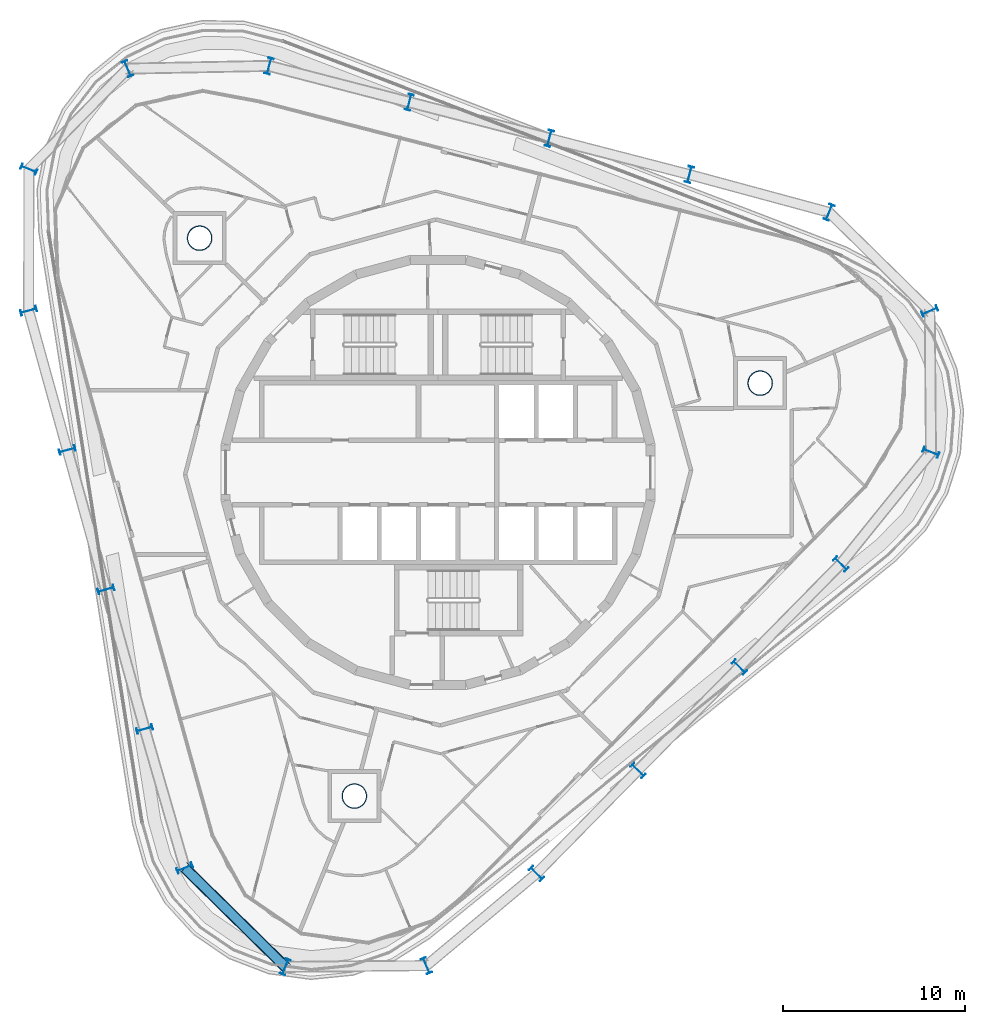
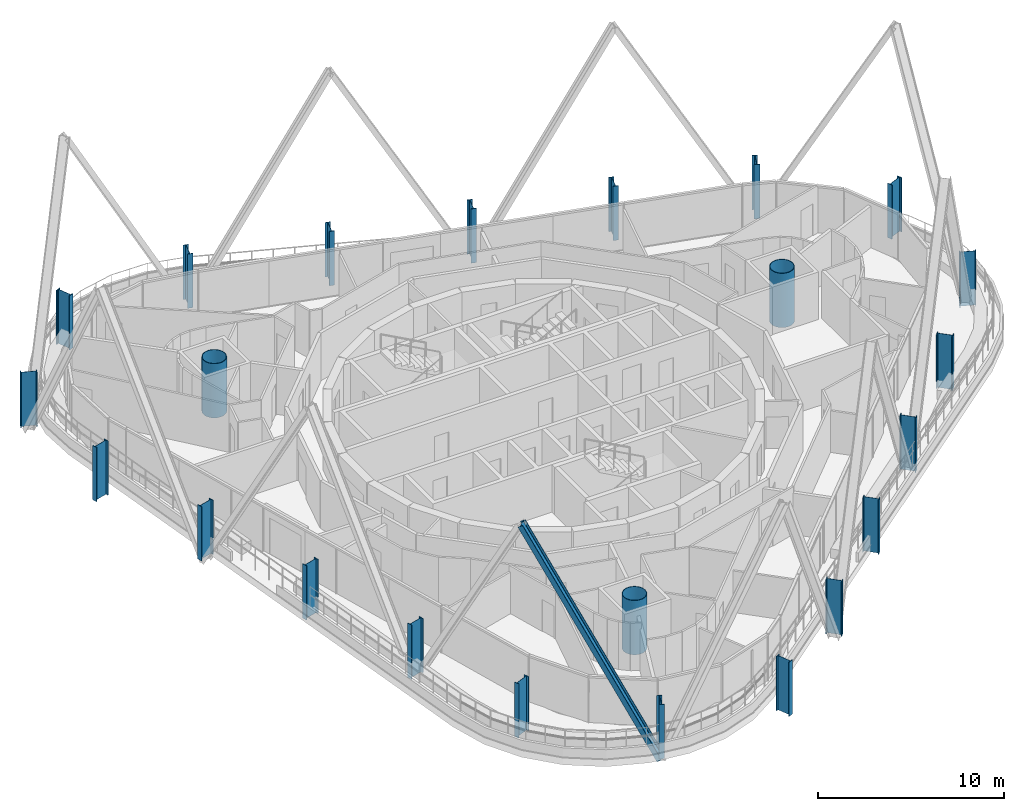
# One storey, part 1 of 18: 23 columns, 1 member.
"""IFC4 building model written with IfcOpenShell, lengths in metres."""

import ifcopenshell
import ifcopenshell.guid

model = None  # the IFC model being written
_history = None  # IfcOwnerHistory: only IFC2X3 demands one
_inside = {}  # id of a spatial element -> (the spatial element, [elements in it])
_under = {}  # id of a project, library or spatial element -> (it, [spatial elements below it])
_declared = {}  # id of a project -> (the project, [libraries it declares])
_typed = {}  # id of a type object -> (the type object, [elements of that type])
_made_of = {}  # id of a material, layer set ... -> (it, [elements and type objects made of it])


def new_model(schema):
    """Start an empty IFC model of exactly this schema.

    Asked for "IFC4X3", IfcOpenShell would pick the latest addendum, in which some entities
    have other attributes; the version numbers below select the first issue.
    IFC2X3 requires an IfcOwnerHistory on every rooted entity: one is made here for all.
    """
    global model, _history
    if schema == "IFC4X3":
        model = ifcopenshell.file(schema_version=(4, 3, 0, 0))
    else:
        model = ifcopenshell.file(schema=schema)
    _inside.clear()
    _under.clear()
    _declared.clear()
    _typed.clear()
    _made_of.clear()
    _history = None
    if model.schema == "IFC2X3":
        org = make("IfcOrganization", Name="unknown")
        user = make(
            "IfcPersonAndOrganization",
            ThePerson=make("IfcPerson", FamilyName="unknown"),
            TheOrganization=org,
        )
        app = make(
            "IfcApplication",
            ApplicationDeveloper=org,
            Version="unknown",
            ApplicationFullName="unknown",
            ApplicationIdentifier="unknown",
        )
        _history = make(
            "IfcOwnerHistory",
            OwningUser=user,
            OwningApplication=app,
            ChangeAction="ADDED",
            CreationDate=0,
        )
    return model


def make(cls, **values):
    """One entity of the class cls with the attributes given. An attribute that is None is left unset."""
    return model.create_entity(
        cls, **{name: value for name, value in values.items() if value is not None}
    )


def rooted(cls, **values):
    """An entity with a GlobalId (a new one), such as an element, a storey or a relation."""
    return make(cls, GlobalId=ifcopenshell.guid.new(), OwnerHistory=_history, **values)


def si_unit(unit_type, name, prefix=None):
    """IfcSIUnit, for example si_unit("LENGTHUNIT", "METRE", prefix="MILLI")."""
    return make("IfcSIUnit", UnitType=unit_type, Prefix=prefix, Name=name)


def assignment(units):
    """IfcUnitAssignment: the units of a project."""
    return None if units is None else make("IfcUnitAssignment", Units=units)


def point(xyz):
    """IfcCartesianPoint."""
    return None if xyz is None else make("IfcCartesianPoint", Coordinates=xyz)


def direction(xyz):
    """IfcDirection."""
    return None if xyz is None else make("IfcDirection", DirectionRatios=xyz)


def frame(location, z_axis=None, x_axis=None):
    """IfcAxis2Placement3D, a coordinate frame: its origin and axes. An axis left out is left unset."""
    return make(
        "IfcAxis2Placement3D",
        Location=point(location),
        Axis=direction(z_axis),
        RefDirection=direction(x_axis),
    )


def frame_2d(location, x_axis=None):
    """IfcAxis2Placement2D, a coordinate frame in the plane: its origin and x axis."""
    return make(
        "IfcAxis2Placement2D", Location=point(location), RefDirection=direction(x_axis)
    )


def origin():
    """The frame at (0, 0, 0) with its axes left unset."""
    return frame((0.0, 0.0, 0.0))


def origin_2d():
    """The frame at (0, 0) in the plane with its x axis left unset."""
    return frame_2d((0.0, 0.0))


def place(relative_to, where):
    """IfcLocalPlacement: puts the frame where relative to a parent placement (None: the world)."""
    return make(
        "IfcLocalPlacement", PlacementRelTo=relative_to, RelativePlacement=where
    )


def context(
    kind, dimensions, precision=None, world=None, true_north=None, identifier=None
):
    """IfcGeometricRepresentationContext, for example the 3D "Model" context."""
    return make(
        "IfcGeometricRepresentationContext",
        ContextIdentifier=identifier,
        ContextType=kind,
        CoordinateSpaceDimension=dimensions,
        Precision=precision,
        WorldCoordinateSystem=world,
        TrueNorth=true_north,
    )


def subcontext(parent, identifier, kind, view, scale=None):
    """IfcGeometricRepresentationSubContext, for example "Body" below "Model"."""
    return make(
        "IfcGeometricRepresentationSubContext",
        ContextIdentifier=identifier,
        ContextType=kind,
        ParentContext=parent,
        TargetScale=scale,
        TargetView=view,
    )


def project(units=None, contexts=None):
    """IfcProject with its units and contexts."""
    return rooted(
        "IfcProject",
        Name="project",
        RepresentationContexts=contexts,
        UnitsInContext=assignment(units),
    )


def spatial(cls, under=None, at=None, **own):
    """A site, building, storey or space (cls), placed at a placement, below another one or the project."""
    s = rooted(cls, ObjectPlacement=at, **own)
    if under is not None:
        _under.setdefault(under.id(), (under, []))[1].append(s)
    return s


def profile(cls, at=None, kind="AREA", **sizes):
    """A parametric profile (cls). Its sizes go by their IFC names, for example OverallWidth=200.0."""
    return make(cls, ProfileType=kind, Position=at, **sizes)


def hollow_circle(**sizes):
    """IfcCircleHollowProfileDef."""
    return profile("IfcCircleHollowProfileDef", **sizes)


def i_section(**sizes):
    """IfcIShapeProfileDef."""
    return profile("IfcIShapeProfileDef", **sizes)


def extrude(swept, where, along, depth):
    """IfcExtrudedAreaSolid: the profile swept, set in the frame where, extruded along a direction by depth."""
    return make(
        "IfcExtrudedAreaSolid",
        SweptArea=swept,
        Position=where,
        ExtrudedDirection=direction(along),
        Depth=depth,
    )


def shape(context_of_items, identifier, shape_type, items):
    """IfcShapeRepresentation: the items that make up one representation, for example the "Body"."""
    return make(
        "IfcShapeRepresentation",
        ContextOfItems=context_of_items,
        RepresentationIdentifier=identifier,
        RepresentationType=shape_type,
        Items=items,
    )


def material(Name=None, Category=None):
    """IfcMaterial."""
    return make("IfcMaterial", Name=Name, Category=Category)


def material_profile(
    of_material, cross_section, Name=None, Category=None, Priority=None
):
    """IfcMaterialProfile: a cross section and its material."""
    return make(
        "IfcMaterialProfile",
        Name=Name,
        Material=of_material,
        Profile=cross_section,
        Priority=Priority,
        Category=Category,
    )


def profile_set(profiles, Name=None, composite=None):
    """IfcMaterialProfileSet."""
    return make(
        "IfcMaterialProfileSet",
        Name=Name,
        MaterialProfiles=profiles,
        CompositeProfile=composite,
    )


def made_of(thing, what):
    """Note that an element or type object is made of a material, layer set ...; save() writes the relation."""
    if what is not None:
        _made_of.setdefault(what.id(), (what, []))[1].append(thing)
    return thing


def type_object(cls, material=None, **own):
    """A type object (cls), such as IfcWallType, which elements share."""
    return made_of(rooted(cls, **own), material)


def element(
    cls,
    number,
    at=None,
    inside=None,
    cuts=None,
    type_object=None,
    material=None,
    context=None,
    identifier="Body",
    shape_type=None,
    held_by="IfcProductDefinitionShape",
    body=None,
    shapes=None,
    **own,
):
    """One element of the class cls, such as IfcWall. Its Tag is "e" and its number.

    at: its placement. inside: the storey or other place that contains it. cuts: it is an
    opening in that element (IfcRelVoidsElement). A single representation is given by context,
    identifier, shape_type and body (its items); several are given by shapes. held_by: the class
    of the entity that holds the representations. save() writes the other relations.
    """
    e = rooted(cls, Tag="e%d" % number, ObjectPlacement=at, **own)
    if body is not None:
        shapes = [shape(context, identifier, shape_type, body)]
    if shapes is not None:
        e.Representation = make(held_by, Representations=shapes)
    if inside is not None:
        _inside.setdefault(inside.id(), (inside, []))[1].append(e)
    if cuts is not None:
        rooted(
            "IfcRelVoidsElement", RelatingBuildingElement=cuts, RelatedOpeningElement=e
        )
    if type_object is not None:
        _typed.setdefault(type_object.id(), (type_object, []))[1].append(e)
    return made_of(e, material)


def aggregate(whole, parts):
    """IfcRelAggregates: a whole, such as a stair, and the parts it consists of."""
    return rooted("IfcRelAggregates", RelatingObject=whole, RelatedObjects=parts)


def save(model, path):
    """Write the relations noted so far, then the file.

    IfcRelAggregates (storeys below a building ...), IfcRelContainedInSpatialStructure (elements
    in a storey), IfcRelDefinesByType, IfcRelAssociatesMaterial and IfcRelDeclares: one each for
    every whole, place, type object, material and project.
    """
    for whole, parts in _under.values():
        aggregate(whole, parts)
    for where, things in _inside.values():
        rooted(
            "IfcRelContainedInSpatialStructure",
            RelatedElements=things,
            RelatingStructure=where,
        )
    for kind, things in _typed.values():
        rooted("IfcRelDefinesByType", RelatedObjects=things, RelatingType=kind)
    for what, things in _made_of.values():
        rooted("IfcRelAssociatesMaterial", RelatedObjects=things, RelatingMaterial=what)
    for by, libraries in _declared.values():
        rooted("IfcRelDeclares", RelatingContext=by, RelatedDefinitions=libraries)
    model.write(path)


model = new_model("IFC4")

# Units and contexts
model_context = context("Model", 3, precision=1e-05, world=origin(), true_north=direction((0.0, 1.0)))
body_context = subcontext(model_context, "Body", "Model", "MODEL_VIEW")
ifc_project = project(units=[si_unit("LENGTHUNIT", "METRE"), si_unit("AREAUNIT", "SQUARE_METRE"), si_unit("VOLUMEUNIT", "CUBIC_METRE"), si_unit("PLANEANGLEUNIT", "RADIAN"), si_unit("MASSUNIT", "GRAM", prefix="KILO")], contexts=[model_context])

# Site, building, storey
site_placement = place(None, origin())
site = spatial("IfcSite", under=ifc_project, at=site_placement, CompositionType="ELEMENT")
building_placement = place(site_placement, origin())
building = spatial("IfcBuilding", under=site, at=building_placement, Name="Spindle Arch Residences", CompositionType="ELEMENT")
storey_placement = place(building_placement, frame((0.0, 0.0, 298.199951171875)))
storey = spatial("IfcBuildingStorey", under=building, at=storey_placement, Name="L76", CompositionType="ELEMENT", Elevation=298.199951171875)

# Columns
ifc_material_1 = material(Name="Steel S460ML, intumescent coating R 240", Category="steel")
ifc_material_profile_1 = material_profile(ifc_material_1, i_section(OverallWidth=0.300048828125, OverallDepth=0.89990234375, WebThickness=0.0185546875, FlangeThickness=0.034912109375, FilletRadius=0.030029296875, at=origin_2d()), Name="HEB 900")
ifc_profile_set_1 = profile_set([ifc_material_profile_1], Name="Steel S460ML, intumescent coating R 240")
column_type_1 = type_object("IfcColumnType", Name="Exoskeleton post HEB 900", PredefinedType="COLUMN", material=ifc_profile_set_1)
for number, where, z_axis, x_axis, name in (
    (1, (16.521484375, -10.6728515625, -0.449951171875), (0.0, 0.0, 1.0), (-0.70090935439, -0.713250360623, 0.0), "Exoskeleton post 1"),
    (2, (22.083251953125, -5.01318359375, -0.449951171875), (0.0, 0.0, 1.0), (-0.70090935439, -0.713250360623, 0.0), "Exoskeleton post 2"),
    (3, (27.0263671875, 1.11279296875, -0.449951171875), (0.0, 0.0, 1.0), (-0.374802818249, -0.927104550433, 0.0), "Exoskeleton post 3"),
    (4, (26.959716796875, 8.84521484375, -0.449951171875), (0.0, 0.0, 1.0), (0.390770126794, -0.920488298679, 0.0), "Exoskeleton post 4"),
    (5, (21.443359375, 14.263916015625, -0.449951171875), (0.0, 0.0, 1.0), (0.927294785217, -0.374331913293, 0.0), "Exoskeleton post 5"),
    (6, (13.7861328125, 16.3330078125, -0.449951171875), (0.0, 0.0, 1.0), (0.968147663906, -0.250379913079, 0.0), "Exoskeleton post 6"),
    (7, (6.10400390625, 18.31982421875, -0.449951171875), (0.0, 0.0, 1.0), (0.968147663906, -0.250379913079, 0.0), "Exoskeleton post 7"),
    (8, (-1.57861328125, 20.306640625, -0.449951171875), (0.0, 0.0, 1.0), (0.968147663906, -0.250379913079, 0.0), "Exoskeleton post 8"),
    (9, (-9.2607421875, 22.29345703125, -0.449951171875), (0.0, 0.0, 1.0), (0.968147663906, -0.250379913079, 0.0), "Exoskeleton post 9"),
    (10, (-17.0185546875, 22.144775390625, -0.449951171875), (0.0, 0.0, 1.0), (0.920554476886, 0.39061420236, 0.0), "Exoskeleton post 10"),
    (11, (-22.4384765625, 16.62939453125, -0.449951171875), (0.0, 0.0, 1.0), (0.374489123858, 0.927231306693, 0.0), "Exoskeleton post 11"),
    (12, (-22.45166015625, 8.870361328125, -0.449951171875), (0.0, 0.0, 1.0), (-0.267238143562, 0.963630517691, 0.0), "Exoskeleton post 12"),
    (13, (-20.3310546875, 1.223876953125, -0.449951171875), (0.0, 0.0, 1.0), (-0.267238143562, 0.963630517691, 0.0), "Exoskeleton post 13"),
    (14, (-18.210693359375, -6.422607421875, -0.449951171875), (0.0, 0.0, 1.0), (-0.267238143562, 0.963630517691, 0.0), "Exoskeleton post 14"),
    (15, (-16.090087890625, -14.069091796875, -0.449951171875), (0.0, 0.0, 1.0), (-0.267238143562, 0.963630517691, 0.0), "Exoskeleton post 15"),
    (16, (-13.887451171875, -21.68896484375, -0.449951171875), (0.0, 0.0, 1.0), (-0.390457907184, 0.920620781167, 0.0), "Exoskeleton post 16"),
    (17, (-8.373291015625, -27.10986328125, -0.449951171875), (0.0, 0.0, 1.0), (-0.9271679418, 0.374645976487, 0.0), "Exoskeleton post 17"),
    (18, (-0.640869140625, -27.041748046875, -0.449951171875), (0.0, 0.0, 1.0), (-0.920422094083, -0.390926039967, 0.0), "Exoskeleton post 18"),
    (19, (5.397705078125, -21.9921875, -0.449951171875), (0.0, 0.0, 1.0), (-0.70090935439, -0.713250360623, 0.0), "Exoskeleton post 19"),
    (20, (10.959716796875, -16.33251953125, -0.449951171875), (0.0, 0.0, 1.0), (-0.70090935439, -0.713250360623, 0.0), "Exoskeleton post 20"),
):
    element("IfcColumn", number, at=place(storey_placement, frame(where, z_axis=z_axis, x_axis=x_axis)), inside=storey, type_object=column_type_1, Name=name, PredefinedType="COLUMN", context=body_context, shape_type="SweptSolid", body=[
        extrude(i_section(OverallWidth=0.300048828125, OverallDepth=0.89990234375, WebThickness=0.0185546875, FlangeThickness=0.034912109375, FilletRadius=0.030029296875, at=origin_2d()), origin(), (0.0, 0.0, 1.0), 3.570068359375),
    ])
ifc_material_2 = material(Name="Concrete C50/60 filled steel tube S460ML, intumescent coating R 240", Category="concrete")
ifc_material_profile_2 = material_profile(ifc_material_2, hollow_circle(Radius=0.675048828125, WallThickness=0.030029296875, at=origin_2d()), Name="CFT D1350x30")
ifc_profile_set_2 = profile_set([ifc_material_profile_2], Name="Concrete C50/60 filled steel tube S460ML, intumescent coating R 240")
column_type_2 = type_object("IfcColumnType", Name="Mega-column CFT D1350x30", PredefinedType="COLUMN", material=ifc_profile_set_2)
for number, where, z_axis, x_axis, name in (
    (21, (17.66259765625, 4.898193359375, -0.449951171875), (0.0, 0.0, 1.0), (1.0, 0.0, 0.0), "Mega-column 1"),
    (22, (-13.0732421875, 12.84716796875, -0.449951171875), (0.0, 0.0, 1.0), (1.0, 0.0, 0.0), "Mega-column 2"),
    (23, (-4.58935546875, -17.745361328125, -0.449951171875), (0.0, 0.0, 1.0), (1.0, 0.0, 0.0), "Mega-column 3"),
):
    element("IfcColumn", number, at=place(storey_placement, frame(where, z_axis=z_axis, x_axis=x_axis)), inside=storey, type_object=column_type_2, Name=name, PredefinedType="COLUMN", context=body_context, shape_type="SweptSolid", body=[
        extrude(hollow_circle(Radius=0.675048828125, WallThickness=0.030029296875, at=origin_2d()), origin(), (0.0, 0.0, 1.0), 3.570068359375),
    ])

# Member
ifc_material_3 = material(Name="Steel S460ML, intumescent coating R 240", Category="steel")
ifc_material_profile_3 = material_profile(ifc_material_3, i_section(OverallWidth=0.300048828125, OverallDepth=0.60009765625, WebThickness=0.015380859375, FlangeThickness=0.030029296875, FilletRadius=0.027099609375, at=origin_2d()), Name="HEB 600")
ifc_profile_set_3 = profile_set([ifc_material_profile_3], Name="Steel S460ML, intumescent coating R 240")
member_type = type_object("IfcMemberType", Name="Diagrid diagonal HEB 600", PredefinedType="BRACE", material=ifc_profile_set_3)
member_placement = place(storey_placement, frame((-8.373291015625, -27.10986328125, -0.699951171875), z_axis=(-0.343457116365, 0.33764818081, 0.876373730331), x_axis=(0.624952220844, -0.614382321422, 0.481631689973)))
element("IfcMember", 24, at=member_placement, inside=storey, type_object=member_type, Name="Diagrid diagonal 8.1.16", PredefinedType="BRACE", context=body_context, shape_type="SweptSolid", body=[
    extrude(i_section(OverallWidth=0.300048828125, OverallDepth=0.60009765625, WebThickness=0.015380859375, FlangeThickness=0.030029296875, FilletRadius=0.027099609375, at=origin_2d()), origin(), (0.0, 0.0, 1.0), 16.054931640625),
])

save(model, "model.ifc")
